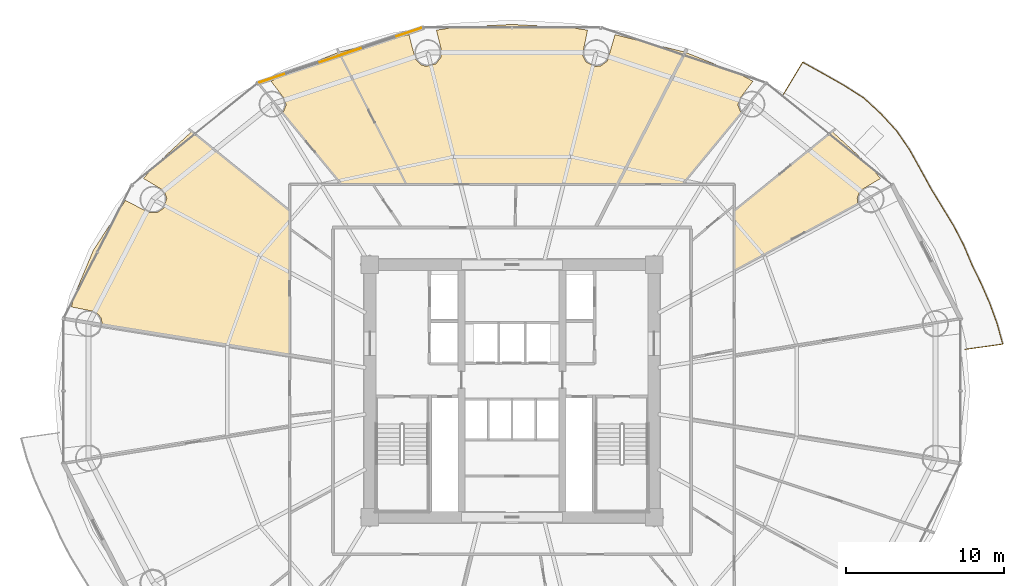
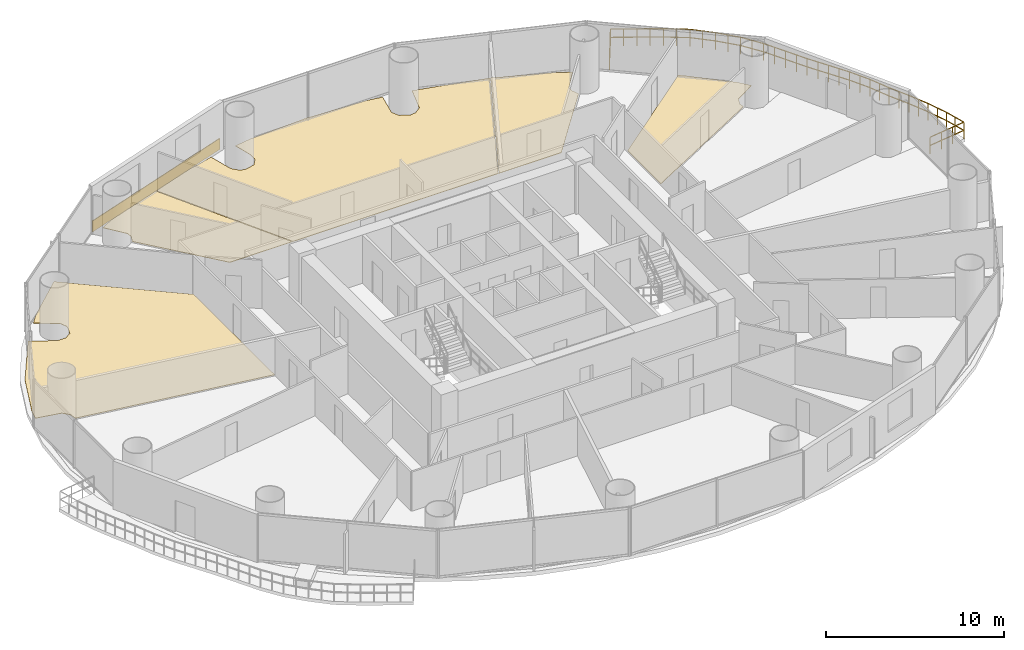
# One storey, part 30 of 30: 6 coverings, 1 railing.
"""IFC4 building model written with IfcOpenShell, lengths in metres."""

from ifc_helpers import new_model, si_unit, direction, frame, origin, origin_2d, place, context, subcontext, project, spatial, polyline, rectangle, outline, extrude, source, transform, mapped, material, layer, layer_set, type_object, element, save


model = new_model("IFC4")

# Units and contexts
model_context = context("Model", 3, precision=1e-05, world=origin(), true_north=direction((-0.2419218956, 0.970295726276)))
body_context = subcontext(model_context, "Body", "Model", "MODEL_VIEW")
ifc_project = project(units=[si_unit("LENGTHUNIT", "METRE"), si_unit("AREAUNIT", "SQUARE_METRE"), si_unit("VOLUMEUNIT", "CUBIC_METRE"), si_unit("PLANEANGLEUNIT", "RADIAN"), si_unit("MASSUNIT", "GRAM", prefix="KILO")], contexts=[model_context])

# Site, building, storey
site_placement = place(None, origin())
site = spatial("IfcSite", under=ifc_project, at=site_placement, CompositionType="ELEMENT")
building_placement = place(site_placement, origin())
building = spatial("IfcBuilding", under=site, at=building_placement, Name="Cobrevalo Terracotta Tower", CompositionType="ELEMENT")
storey_placement = place(building_placement, frame((0.0, 0.0, 31.199951171875)))
storey = spatial("IfcBuildingStorey", under=building, at=storey_placement, Name="L07", CompositionType="ELEMENT", Elevation=31.199951171875)

# Railing
ifc_material_1 = material(Name="Laminated structural glass and stainless steel", Category="steel")
railing_type = type_object("IfcRailingType", Name="Balcony lobe structural glass & terracotta-cap balustrade 1180 mm", PredefinedType="BALUSTRADE", material=ifc_material_1)
railing_placement = place(storey_placement, frame((66.69677734375, 29.433349609375, 0.0)))
element("IfcRailing", 1, at=railing_placement, inside=storey, type_object=railing_type, Name="L07 spiralling balcony lobe balustrade 1", PredefinedType="BALUSTRADE", context=body_context, shape_type="SweptSolid", body=[
    extrude(rectangle(XDim=0.048095703125, YDim=0.048095703125, at=origin_2d()), frame((0.0, 0.0, 1.15576171875), z_axis=(0.990401674344, 0.138219113931, 0.0), x_axis=(-0.138219113931, 0.990401674344, 0.0)), (0.0, 0.0, 1.0), 2.412841796875),
    extrude(rectangle(XDim=0.048095703125, YDim=0.048095703125, at=origin_2d()), frame((0.0, 0.0, 0.58984375), z_axis=(0.990401674344, 0.138219113931, 0.0), x_axis=(-0.138219113931, 0.990401674344, 0.0)), (0.0, 0.0, 1.0), 2.412841796875),
    extrude(rectangle(XDim=0.048095703125, YDim=0.048095703125, at=origin_2d()), frame((2.3896484375, 0.33349609375, 1.15576171875), z_axis=(-0.267736538798, 0.96349216177, 0.0), x_axis=(-0.96349216177, -0.267736538798, 0.0)), (0.0, 0.0, 1.0), 1.358642578125),
    extrude(rectangle(XDim=0.048095703125, YDim=0.048095703125, at=origin_2d()), frame((2.3896484375, 0.33349609375, 0.58984375), z_axis=(-0.267736538798, 0.96349216177, 0.0), x_axis=(-0.96349216177, -0.267736538798, 0.0)), (0.0, 0.0, 1.0), 1.358642578125),
    extrude(rectangle(XDim=0.048095703125, YDim=0.048095703125, at=origin_2d()), frame((2.02587890625, 1.642578125, 1.15576171875), z_axis=(-0.342089262851, 0.939667460457, 0.0), x_axis=(-0.939667460457, -0.342089262851, 0.0)), (0.0, 0.0, 1.0), 1.35888671875),
    extrude(rectangle(XDim=0.048095703125, YDim=0.048095703125, at=origin_2d()), frame((2.02587890625, 1.642578125, 0.58984375), z_axis=(-0.342089262851, 0.939667460457, 0.0), x_axis=(-0.939667460457, -0.342089262851, 0.0)), (0.0, 0.0, 1.0), 1.35888671875),
    extrude(rectangle(XDim=0.048095703125, YDim=0.048095703125, at=origin_2d()), frame((1.56103515625, 2.91943359375, 1.15576171875), z_axis=(-0.40003862441, 0.916498280948, 0.0), x_axis=(-0.916498280948, -0.40003862441, 0.0)), (0.0, 0.0, 1.0), 1.34619140625),
    extrude(rectangle(XDim=0.048095703125, YDim=0.048095703125, at=origin_2d()), frame((1.56103515625, 2.91943359375, 0.58984375), z_axis=(-0.40003862441, 0.916498280948, 0.0), x_axis=(-0.916498280948, -0.40003862441, 0.0)), (0.0, 0.0, 1.0), 1.34619140625),
    extrude(rectangle(XDim=0.048095703125, YDim=0.048095703125, at=origin_2d()), frame((1.0224609375, 4.1533203125, 1.15576171875), z_axis=(-0.437875913667, 0.899035418785, 0.0), x_axis=(-0.899035418785, -0.437875913667, 0.0)), (0.0, 0.0, 1.0), 1.3525390625),
    extrude(rectangle(XDim=0.048095703125, YDim=0.048095703125, at=origin_2d()), frame((1.0224609375, 4.1533203125, 0.58984375), z_axis=(-0.437875913667, 0.899035418785, 0.0), x_axis=(-0.899035418785, -0.437875913667, 0.0)), (0.0, 0.0, 1.0), 1.3525390625),
    extrude(rectangle(XDim=0.048095703125, YDim=0.048095703125, at=origin_2d()), frame((0.43017578125, 5.369384765625, 1.15576171875), z_axis=(-0.388097632578, 0.921618265654, 0.0), x_axis=(-0.921618265654, -0.388097632578, 0.0)), (0.0, 0.0, 1.0), 1.343017578125),
    extrude(rectangle(XDim=0.048095703125, YDim=0.048095703125, at=origin_2d()), frame((0.43017578125, 5.369384765625, 0.58984375), z_axis=(-0.388097632578, 0.921618265654, 0.0), x_axis=(-0.921618265654, -0.388097632578, 0.0)), (0.0, 0.0, 1.0), 1.343017578125),
    extrude(rectangle(XDim=0.048095703125, YDim=0.048095703125, at=origin_2d()), frame((-0.091064453125, 6.607177734375, 1.15576171875), z_axis=(-0.460448873709, 0.887686225363, 0.0), x_axis=(-0.887686225363, -0.460448873709, 0.0)), (0.0, 0.0, 1.0), 1.3525390625),
    extrude(rectangle(XDim=0.048095703125, YDim=0.048095703125, at=origin_2d()), frame((-0.091064453125, 6.607177734375, 0.58984375), z_axis=(-0.460448873709, 0.887686225363, 0.0), x_axis=(-0.887686225363, -0.460448873709, 0.0)), (0.0, 0.0, 1.0), 1.3525390625),
    extrude(rectangle(XDim=0.048095703125, YDim=0.048095703125, at=origin_2d()), frame((-0.7138671875, 7.807861328125, 1.15576171875), z_axis=(-0.51926700379, 0.854612063322, 0.0), x_axis=(-0.854612063322, -0.51926700379, 0.0)), (0.0, 0.0, 1.0), 1.3671875),
    extrude(rectangle(XDim=0.048095703125, YDim=0.048095703125, at=origin_2d()), frame((-0.7138671875, 7.807861328125, 0.58984375), z_axis=(-0.51926700379, 0.854612063322, 0.0), x_axis=(-0.854612063322, -0.51926700379, 0.0)), (0.0, 0.0, 1.0), 1.3671875),
    extrude(rectangle(XDim=0.048095703125, YDim=0.048095703125, at=origin_2d()), frame((-1.423828125, 8.976318359375, 1.15576171875), z_axis=(-0.520950785501, 0.85358671445, 0.0), x_axis=(-0.85358671445, -0.520950785501, 0.0)), (0.0, 0.0, 1.0), 1.365234375),
    extrude(rectangle(XDim=0.048095703125, YDim=0.048095703125, at=origin_2d()), frame((-1.423828125, 8.976318359375, 0.58984375), z_axis=(-0.520950785501, 0.85358671445, 0.0), x_axis=(-0.85358671445, -0.520950785501, 0.0)), (0.0, 0.0, 1.0), 1.365234375),
    extrude(rectangle(XDim=0.048095703125, YDim=0.048095703125, at=origin_2d()), frame((-2.135009765625, 10.1416015625, 1.15576171875), z_axis=(-0.481084803169, 0.876674062671, 0.0), x_axis=(-0.876674062671, -0.481084803169, 0.0)), (0.0, 0.0, 1.0), 1.416259765625),
    extrude(rectangle(XDim=0.048095703125, YDim=0.048095703125, at=origin_2d()), frame((-2.135009765625, 10.1416015625, 0.58984375), z_axis=(-0.481084803169, 0.876674062671, 0.0), x_axis=(-0.876674062671, -0.481084803169, 0.0)), (0.0, 0.0, 1.0), 1.416259765625),
    extrude(rectangle(XDim=0.048095703125, YDim=0.048095703125, at=origin_2d()), frame((-2.81640625, 11.38330078125, 1.15576171875), z_axis=(-0.484722981406, 0.874667726224, 0.0), x_axis=(-0.874667726224, -0.484722981406, 0.0)), (0.0, 0.0, 1.0), 1.442626953125),
    extrude(rectangle(XDim=0.048095703125, YDim=0.048095703125, at=origin_2d()), frame((-2.81640625, 11.38330078125, 0.58984375), z_axis=(-0.484722981406, 0.874667726224, 0.0), x_axis=(-0.874667726224, -0.484722981406, 0.0)), (0.0, 0.0, 1.0), 1.442626953125),
    extrude(rectangle(XDim=0.048095703125, YDim=0.048095703125, at=origin_2d()), frame((-3.515625, 12.64501953125, 1.15576171875), z_axis=(-0.565916297815, 0.824462700107, 0.0), x_axis=(-0.824462700107, -0.565916297815, 0.0)), (0.0, 0.0, 1.0), 1.455078125),
    extrude(rectangle(XDim=0.048095703125, YDim=0.048095703125, at=origin_2d()), frame((-3.515625, 12.64501953125, 0.58984375), z_axis=(-0.565916297815, 0.824462700107, 0.0), x_axis=(-0.824462700107, -0.565916297815, 0.0)), (0.0, 0.0, 1.0), 1.455078125),
    extrude(rectangle(XDim=0.048095703125, YDim=0.048095703125, at=origin_2d()), frame((-4.339111328125, 13.8447265625, 1.15576171875), z_axis=(-0.675724628517, 0.737154140201, 0.0), x_axis=(-0.737154140201, -0.675724628517, 0.0)), (0.0, 0.0, 1.0), 1.470458984375),
    extrude(rectangle(XDim=0.048095703125, YDim=0.048095703125, at=origin_2d()), frame((-4.339111328125, 13.8447265625, 0.58984375), z_axis=(-0.675724628517, 0.737154140201, 0.0), x_axis=(-0.737154140201, -0.675724628517, 0.0)), (0.0, 0.0, 1.0), 1.470458984375),
    extrude(rectangle(XDim=0.048095703125, YDim=0.048095703125, at=origin_2d()), frame((-5.332763671875, 14.9287109375, 1.15576171875), z_axis=(-0.734816197719, 0.678266286623, 0.0), x_axis=(-0.678266286623, -0.734816197719, 0.0)), (0.0, 0.0, 1.0), 1.4677734375),
    extrude(rectangle(XDim=0.048095703125, YDim=0.048095703125, at=origin_2d()), frame((-5.332763671875, 14.9287109375, 0.58984375), z_axis=(-0.734816197719, 0.678266286623, 0.0), x_axis=(-0.678266286623, -0.734816197719, 0.0)), (0.0, 0.0, 1.0), 1.4677734375),
    extrude(rectangle(XDim=0.048095703125, YDim=0.048095703125, at=origin_2d()), frame((-6.411376953125, 15.92431640625, 1.15576171875), z_axis=(-0.843681595088, 0.536843893614, 0.0), x_axis=(-0.536843893614, -0.843681595088, 0.0)), (0.0, 0.0, 1.0), 1.499755859375),
    extrude(rectangle(XDim=0.048095703125, YDim=0.048095703125, at=origin_2d()), frame((-6.411376953125, 15.92431640625, 0.58984375), z_axis=(-0.843681595088, 0.536843893614, 0.0), x_axis=(-0.536843893614, -0.843681595088, 0.0)), (0.0, 0.0, 1.0), 1.499755859375),
    extrude(rectangle(XDim=0.048095703125, YDim=0.048095703125, at=origin_2d()), frame((-7.6767578125, 16.7294921875, 1.15576171875), z_axis=(-0.870611427323, 0.491971282306, 0.0), x_axis=(-0.491971282306, -0.870611427323, 0.0)), (0.0, 0.0, 1.0), 1.4970703125),
    extrude(rectangle(XDim=0.048095703125, YDim=0.048095703125, at=origin_2d()), frame((-7.6767578125, 16.7294921875, 0.58984375), z_axis=(-0.870611427323, 0.491971282306, 0.0), x_axis=(-0.491971282306, -0.870611427323, 0.0)), (0.0, 0.0, 1.0), 1.4970703125),
    extrude(rectangle(XDim=0.048095703125, YDim=0.048095703125, at=origin_2d()), frame((-8.980224609375, 17.466064453125, 1.15576171875), z_axis=(-0.874226689931, 0.485517965283, 0.0), x_axis=(-0.485517965283, -0.874226689931, 0.0)), (0.0, 0.0, 1.0), 1.492919921875),
    extrude(rectangle(XDim=0.048095703125, YDim=0.048095703125, at=origin_2d()), frame((-8.980224609375, 17.466064453125, 0.58984375), z_axis=(-0.874226689931, 0.485517965283, 0.0), x_axis=(-0.485517965283, -0.874226689931, 0.0)), (0.0, 0.0, 1.0), 1.492919921875),
    extrude(rectangle(XDim=0.048095703125, YDim=0.048095703125, at=origin_2d()), frame((-10.285400390625, 18.19091796875, 1.15576171875), z_axis=(-0.515268758686, -0.857028649651, 0.0), x_axis=(0.857028649651, -0.515268758686, 0.0)), (0.0, 0.0, 1.0), 2.3681640625),
    extrude(rectangle(XDim=0.048095703125, YDim=0.048095703125, at=origin_2d()), frame((-10.285400390625, 18.19091796875, 0.58984375), z_axis=(-0.515268758686, -0.857028649651, 0.0), x_axis=(0.857028649651, -0.515268758686, 0.0)), (0.0, 0.0, 1.0), 2.3681640625),
    extrude(rectangle(XDim=0.0419921875, YDim=0.0419921875, at=origin_2d()), origin(), (0.0, 0.0, 1.0), 1.1318359375),
    extrude(rectangle(XDim=0.0419921875, YDim=0.0419921875, at=origin_2d()), frame((0.796630859375, 0.111083984375, 0.0)), (0.0, 0.0, 1.0), 1.1318359375),
    extrude(rectangle(XDim=0.0419921875, YDim=0.0419921875, at=origin_2d()), frame((1.593017578125, 0.222412109375, 0.0)), (0.0, 0.0, 1.0), 1.1318359375),
    extrude(rectangle(XDim=0.0419921875, YDim=0.0419921875, at=origin_2d()), frame((2.3896484375, 0.33349609375, 0.0)), (0.0, 0.0, 1.0), 1.1318359375),
    extrude(rectangle(XDim=0.0419921875, YDim=0.0419921875, at=origin_2d()), frame((2.207763671875, 0.988037109375, 0.0)), (0.0, 0.0, 1.0), 1.1318359375),
    extrude(rectangle(XDim=0.0419921875, YDim=0.0419921875, at=origin_2d()), frame((2.02587890625, 1.642578125, 0.0)), (0.0, 0.0, 1.0), 1.1318359375),
    extrude(rectangle(XDim=0.0419921875, YDim=0.0419921875, at=origin_2d()), frame((1.79345703125, 2.281005859375, 0.0)), (0.0, 0.0, 1.0), 1.1318359375),
    extrude(rectangle(XDim=0.0419921875, YDim=0.0419921875, at=origin_2d()), frame((1.56103515625, 2.91943359375, 0.0)), (0.0, 0.0, 1.0), 1.1318359375),
    extrude(rectangle(XDim=0.0419921875, YDim=0.0419921875, at=origin_2d()), frame((1.291748046875, 3.536376953125, 0.0)), (0.0, 0.0, 1.0), 1.1318359375),
    extrude(rectangle(XDim=0.0419921875, YDim=0.0419921875, at=origin_2d()), frame((1.0224609375, 4.1533203125, 0.0)), (0.0, 0.0, 1.0), 1.1318359375),
    extrude(rectangle(XDim=0.0419921875, YDim=0.0419921875, at=origin_2d()), frame((0.726318359375, 4.76123046875, 0.0)), (0.0, 0.0, 1.0), 1.1318359375),
    extrude(rectangle(XDim=0.0419921875, YDim=0.0419921875, at=origin_2d()), frame((0.43017578125, 5.369384765625, 0.0)), (0.0, 0.0, 1.0), 1.1318359375),
    extrude(rectangle(XDim=0.0419921875, YDim=0.0419921875, at=origin_2d()), frame((0.16943359375, 5.98828125, 0.0)), (0.0, 0.0, 1.0), 1.1318359375),
    extrude(rectangle(XDim=0.0419921875, YDim=0.0419921875, at=origin_2d()), frame((-0.091064453125, 6.607177734375, 0.0)), (0.0, 0.0, 1.0), 1.1318359375),
    extrude(rectangle(XDim=0.0419921875, YDim=0.0419921875, at=origin_2d()), frame((-0.40234375, 7.20751953125, 0.0)), (0.0, 0.0, 1.0), 1.1318359375),
    extrude(rectangle(XDim=0.0419921875, YDim=0.0419921875, at=origin_2d()), frame((-0.7138671875, 7.807861328125, 0.0)), (0.0, 0.0, 1.0), 1.1318359375),
    extrude(rectangle(XDim=0.0419921875, YDim=0.0419921875, at=origin_2d()), frame((-1.06884765625, 8.39208984375, 0.0)), (0.0, 0.0, 1.0), 1.1318359375),
    extrude(rectangle(XDim=0.0419921875, YDim=0.0419921875, at=origin_2d()), frame((-1.423828125, 8.976318359375, 0.0)), (0.0, 0.0, 1.0), 1.1318359375),
    extrude(rectangle(XDim=0.0419921875, YDim=0.0419921875, at=origin_2d()), frame((-1.779296875, 9.55908203125, 0.0)), (0.0, 0.0, 1.0), 1.1318359375),
    extrude(rectangle(XDim=0.0419921875, YDim=0.0419921875, at=origin_2d()), frame((-2.135009765625, 10.1416015625, 0.0)), (0.0, 0.0, 1.0), 1.1318359375),
    extrude(rectangle(XDim=0.0419921875, YDim=0.0419921875, at=origin_2d()), frame((-2.4755859375, 10.762451171875, 0.0)), (0.0, 0.0, 1.0), 1.1318359375),
    extrude(rectangle(XDim=0.0419921875, YDim=0.0419921875, at=origin_2d()), frame((-2.81640625, 11.38330078125, 0.0)), (0.0, 0.0, 1.0), 1.1318359375),
    extrude(rectangle(XDim=0.0419921875, YDim=0.0419921875, at=origin_2d()), frame((-3.166015625, 12.01416015625, 0.0)), (0.0, 0.0, 1.0), 1.1318359375),
    extrude(rectangle(XDim=0.0419921875, YDim=0.0419921875, at=origin_2d()), frame((-3.515625, 12.64501953125, 0.0)), (0.0, 0.0, 1.0), 1.1318359375),
    extrude(rectangle(XDim=0.0419921875, YDim=0.0419921875, at=origin_2d()), frame((-3.92724609375, 13.244873046875, 0.0)), (0.0, 0.0, 1.0), 1.1318359375),
    extrude(rectangle(XDim=0.0419921875, YDim=0.0419921875, at=origin_2d()), frame((-4.339111328125, 13.8447265625, 0.0)), (0.0, 0.0, 1.0), 1.1318359375),
    extrude(rectangle(XDim=0.0419921875, YDim=0.0419921875, at=origin_2d()), frame((-4.8359375, 14.38671875, 0.0)), (0.0, 0.0, 1.0), 1.1318359375),
    extrude(rectangle(XDim=0.0419921875, YDim=0.0419921875, at=origin_2d()), frame((-5.332763671875, 14.9287109375, 0.0)), (0.0, 0.0, 1.0), 1.1318359375),
    extrude(rectangle(XDim=0.0419921875, YDim=0.0419921875, at=origin_2d()), frame((-5.8720703125, 15.426513671875, 0.0)), (0.0, 0.0, 1.0), 1.1318359375),
    extrude(rectangle(XDim=0.0419921875, YDim=0.0419921875, at=origin_2d()), frame((-6.411376953125, 15.92431640625, 0.0)), (0.0, 0.0, 1.0), 1.1318359375),
    extrude(rectangle(XDim=0.0419921875, YDim=0.0419921875, at=origin_2d()), frame((-7.0439453125, 16.326904296875, 0.0)), (0.0, 0.0, 1.0), 1.1318359375),
    extrude(rectangle(XDim=0.0419921875, YDim=0.0419921875, at=origin_2d()), frame((-7.6767578125, 16.7294921875, 0.0)), (0.0, 0.0, 1.0), 1.1318359375),
    extrude(rectangle(XDim=0.0419921875, YDim=0.0419921875, at=origin_2d()), frame((-8.32861328125, 17.09765625, 0.0)), (0.0, 0.0, 1.0), 1.1318359375),
    extrude(rectangle(XDim=0.0419921875, YDim=0.0419921875, at=origin_2d()), frame((-8.980224609375, 17.466064453125, 0.0)), (0.0, 0.0, 1.0), 1.1318359375),
    extrude(rectangle(XDim=0.0419921875, YDim=0.0419921875, at=origin_2d()), frame((-9.6328125, 17.82861328125, 0.0)), (0.0, 0.0, 1.0), 1.1318359375),
    extrude(rectangle(XDim=0.0419921875, YDim=0.0419921875, at=origin_2d()), frame((-10.285400390625, 18.19091796875, 0.0)), (0.0, 0.0, 1.0), 1.1318359375),
    extrude(rectangle(XDim=0.0419921875, YDim=0.0419921875, at=origin_2d()), frame((-10.8955078125, 17.17626953125, 0.0)), (0.0, 0.0, 1.0), 1.1318359375),
    extrude(rectangle(XDim=0.0419921875, YDim=0.0419921875, at=origin_2d()), frame((-11.505615234375, 16.161376953125, 0.0)), (0.0, 0.0, 1.0), 1.1318359375),
])

# Coverings
ifc_material_2 = material(Name="Engineered Brazilian hardwood flooring", Category="wood")
ifc_layer_1 = layer(ifc_material_2, 0.028076171875)
ifc_layer_set_1 = layer_set([ifc_layer_1], Name="Engineered Brazilian hardwood flooring")
covering_type_1 = type_object("IfcCoveringType", Name="Engineered Hardwood Suite Flooring 28", PredefinedType="FLOORING", material=ifc_layer_set_1)
covering_1_placement = place(storey_placement, origin())
element("IfcCovering", 2, at=covering_1_placement, inside=storey, type_object=covering_type_1, Name="Flat L07A Master Bedroom floor finish", PredefinedType="FLOORING", context=body_context, shape_type="SweptSolid", body=[
    extrude(outline(polyline([(58.298583984375, 43.222900390625), (60.786376953125, 40.933837890625), (61.34423828125, 40.2587890625), (60.060791015625, 39.497802734375), (59.864990234375, 39.02587890625), (59.90234375, 38.681884765625), (52.10498046875, 34.4599609375), (52.10498046875, 38.2041015625), (58.298583984375, 43.222900390625)])), origin(), (0.0, 0.0, 1.0), 0.030029296875),
])
covering_2_placement = place(storey_placement, origin())
element("IfcCovering", 3, at=covering_2_placement, inside=storey, type_object=covering_type_1, Name="Flat L07A Penthouse Family Lounge floor finish", PredefinedType="FLOORING", context=body_context, shape_type="SweptSolid", body=[
    extrude(outline(polyline([(48.9873046875, 48.251220703125), (52.361572265625, 46.908203125), (53.26318359375, 46.421142578125), (52.35498046875, 45.23095703125), (52.318115234375, 44.889404296875), (52.5048828125, 44.42236328125), (48.780029296875, 39.905029296875), (44.72119140625, 39.905029296875), (48.9873046875, 48.251220703125)])), origin(), (0.0, 0.0, 1.0), 0.030029296875),
])
covering_3_placement = place(storey_placement, origin())
element("IfcCovering", 4, at=covering_3_placement, inside=storey, type_object=covering_type_1, Name="Flat L07B Penthouse Living and Dining Room floor finish", PredefinedType="FLOORING", context=body_context, shape_type="SweptSolid", body=[
    extrude(outline(polyline([(31.472412109375, 49.37451171875), (31.8681640625, 47.85498046875), (32.210693359375, 47.475830078125), (32.533935546875, 47.35986328125), (33.1875, 47.5224609375), (33.492431640625, 47.932373046875), (33.5185546875, 48.44189453125), (33.21630859375, 49.65478515625), (34.250732421875, 49.8212890625), (38.0, 50.02001953125), (41.749267578125, 49.8212890625), (42.78369140625, 49.65478515625), (42.46533203125, 48.099853515625), (42.6845703125, 47.63818359375), (43.293701171875, 47.35107421875), (43.63330078125, 47.40185546875), (44.04345703125, 47.706787109375), (44.527587890625, 49.37451171875), (48.948974609375, 48.263671875), (44.67626953125, 39.905029296875), (31.32373046875, 39.905029296875), (27.051025390625, 48.263671875), (31.472412109375, 49.37451171875)])), origin(), (0.0, 0.0, 1.0), 0.030029296875),
])
covering_4_placement = place(storey_placement, origin())
element("IfcCovering", 5, at=covering_4_placement, inside=storey, type_object=covering_type_1, Name="Flat L07B Master Bedroom floor finish", PredefinedType="FLOORING", context=body_context, shape_type="SweptSolid", body=[
    extrude(outline(polyline([(23.4951171875, 44.42236328125), (23.681884765625, 44.889404296875), (23.64501953125, 45.23095703125), (22.73681640625, 46.421142578125), (23.638427734375, 46.908203125), (27.0126953125, 48.251220703125), (31.27880859375, 39.905029296875), (27.219970703125, 39.905029296875), (23.4951171875, 44.42236328125)])), origin(), (0.0, 0.0, 1.0), 0.030029296875),
])
covering_5_placement = place(storey_placement, origin())
element("IfcCovering", 6, at=covering_5_placement, inside=storey, type_object=covering_type_1, Name="Flat L07B Penthouse Family Lounge floor finish", PredefinedType="FLOORING", context=body_context, shape_type="SweptSolid", body=[
    extrude(outline(polyline([(13.511962890625, 38.87451171875), (15.00439453125, 38.096923828125), (15.51513671875, 38.09716796875), (15.93994140625, 38.38134765625), (16.135009765625, 39.02587890625), (15.939208984375, 39.497802734375), (14.65576171875, 40.2587890625), (15.213623046875, 40.933837890625), (17.701416015625, 43.222900390625), (23.89501953125, 38.2041015625), (23.89501953125, 29.09375), (12.04931640625, 31.003173828125), (11.974853515625, 31.4306640625), (11.6357421875, 31.81298828125), (10.090576171875, 32.126220703125), (10.25830078125, 32.80859375), (11.465576171875, 35.684326171875), (13.511962890625, 38.87451171875)])), origin(), (0.0, 0.0, 1.0), 0.030029296875),
])
ifc_material_3 = material(Name="Glazed terracotta facade cladding tile", Category="masonry")
ifc_layer_2 = layer(ifc_material_3, 0.044921875)
ifc_layer_set_2 = layer_set([ifc_layer_2], Name="Glazed terracotta facade cladding tile")
covering_type_2 = type_object("IfcCoveringType", Name="Architectural terracotta rainscreen spandrel cladding 45 mm", PredefinedType="CLADDING", material=ifc_layer_set_2)
shared_shape = source(origin(), body_context, "Body", "SweptSolid", [
    extrude(rectangle(XDim=10.8154296875, YDim=0.044921875, at=origin_2d()), origin(), (0.0, 0.0, 1.0), 0.760009765625),
])
covering_6_placement = place(storey_placement, frame((27.126708984375, 48.06689453125, 0.0400390625), z_axis=(0.0, 0.0, 1.0), x_axis=(-0.948044172593, -0.318138722592, 0.0)))
element("IfcCovering", 7, at=covering_6_placement, inside=storey, type_object=covering_type_2, Name="L07 terracotta spandrel cladding S05", PredefinedType="CLADDING", context=body_context, shape_type="MappedRepresentation", body=[
    mapped(shared_shape, transform((0.0, 0.0, 0.0), scale=1.0)),
])

save(model, "model.ifc")
